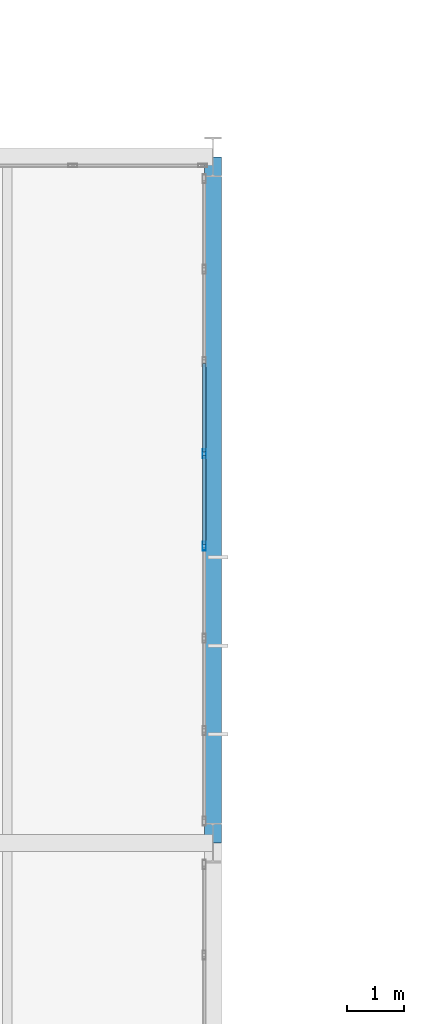
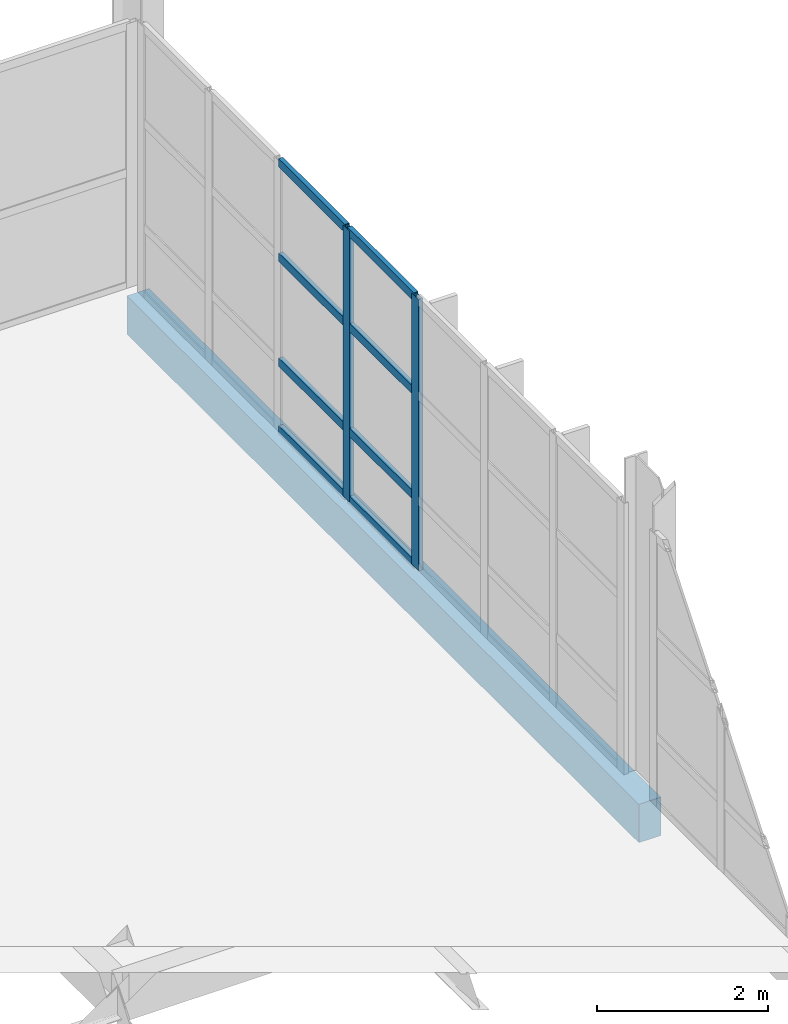
# One storey, part 85 of 113: 10 members, 1 beam, 1 element without a shape of its own.
"""IFC4 building model written with IfcOpenShell, lengths in metres."""

from ifc_helpers import new_model, si_unit, direction, frame, origin, origin_2d, place, context, subcontext, project, spatial, rectangle, hollow_rectangle, extrude, material, material_profile, profile_set, type_object, element, aggregate, save


model = new_model("IFC4")

# Units and contexts
model_context = context("Model", 3, precision=1e-05, world=origin(), true_north=direction((0.0, 1.0)))
body_context = subcontext(model_context, "Body", "Model", "MODEL_VIEW")
ifc_project = project(units=[si_unit("LENGTHUNIT", "METRE"), si_unit("AREAUNIT", "SQUARE_METRE"), si_unit("VOLUMEUNIT", "CUBIC_METRE"), si_unit("PLANEANGLEUNIT", "RADIAN"), si_unit("MASSUNIT", "GRAM", prefix="KILO")], contexts=[model_context])

# Site, building, storey
site_placement = place(None, origin())
site = spatial("IfcSite", under=ifc_project, at=site_placement, CompositionType="ELEMENT")
building_placement = place(site_placement, origin())
building = spatial("IfcBuilding", under=site, at=building_placement, Name="Veltarok Museum of Natural Sciences", CompositionType="ELEMENT")
storey_placement = place(building_placement, frame((0.0, 0.0, 8.39990234375)))
storey = spatial("IfcBuildingStorey", under=building, at=storey_placement, Name="L01", CompositionType="ELEMENT", Elevation=8.39990234375)

# Curtain wall, members
ifc_material_1 = material(Name="Low-iron triple insulated glass", Category="glass")
curtain_wall_type = type_object("IfcCurtainWallType", Name="Curtain Wall System CW-V5E-L01-G-1130x388 (V5 East Lab L01 G-H 1130x388cm)", PredefinedType="NOTDEFINED", material=ifc_material_1)
curtain_wall_placement = place(storey_placement, origin())
curtain_wall = element("IfcCurtainWall", 1, at=curtain_wall_placement, inside=storey, type_object=curtain_wall_type, Name="Curtain Wall CW-V5E-L01-G-1130x388 CW-0108", PredefinedType="NOTDEFINED")
ifc_material_2 = material(Name="Thermally broken anodised aluminium", Category="aluminium")
ifc_material_profile_1 = material_profile(ifc_material_2, hollow_rectangle(XDim=0.06005859375, YDim=0.1201171875, WallThickness=0.0048828125, at=origin_2d()), Name="CW TRANSOM 60x120x5")
ifc_profile_set_1 = profile_set([ifc_material_profile_1], Name="Thermally broken anodised aluminium")
member_type_1 = type_object("IfcMemberType", Name="Curtain Wall Horizontal Transom 60x120x5", PredefinedType="USERDEFINED", material=ifc_profile_set_1)
member_1_placement = place(storey_placement, frame((164.64990234375, 65.222900390625, 0.030029296875), z_axis=(0.0, 1.0, 0.0), x_axis=(-1.0, 0.0, 0.0)))
member_1 = element("IfcMember", 2, at=member_1_placement, type_object=member_type_1, Name="CW-V5E-L01-G-1130x388 transom 4.1", ObjectType="TRANSOM", PredefinedType="USERDEFINED", context=body_context, shape_type="SweptSolid", body=[
    extrude(hollow_rectangle(XDim=0.06005859375, YDim=0.1201171875, WallThickness=0.0048828125, at=origin_2d()), origin(), (0.0, 0.0, 1.0), 1.55419921875),
])
member_2_placement = place(storey_placement, frame((164.64990234375, 65.222900390625, 1.0), z_axis=(0.0, 1.0, 0.0), x_axis=(-1.0, 0.0, 0.0)))
member_2 = element("IfcMember", 3, at=member_2_placement, type_object=member_type_1, Name="CW-V5E-L01-G-1130x388 transom 4.2", ObjectType="TRANSOM", PredefinedType="USERDEFINED", context=body_context, shape_type="SweptSolid", body=[
    extrude(hollow_rectangle(XDim=0.06005859375, YDim=0.1201171875, WallThickness=0.0048828125, at=origin_2d()), origin(), (0.0, 0.0, 1.0), 1.55419921875),
])
member_3_placement = place(storey_placement, frame((164.64990234375, 65.222900390625, 2.5), z_axis=(0.0, 1.0, 0.0), x_axis=(-1.0, 0.0, 0.0)))
member_3 = element("IfcMember", 4, at=member_3_placement, type_object=member_type_1, Name="CW-V5E-L01-G-1130x388 transom 4.3", ObjectType="TRANSOM", PredefinedType="USERDEFINED", context=body_context, shape_type="SweptSolid", body=[
    extrude(hollow_rectangle(XDim=0.06005859375, YDim=0.1201171875, WallThickness=0.0048828125, at=origin_2d()), origin(), (0.0, 0.0, 1.0), 1.55419921875),
])
member_4_placement = place(storey_placement, frame((164.64990234375, 65.222900390625, 3.85009765625), z_axis=(0.0, 1.0, 0.0), x_axis=(-1.0, 0.0, 0.0)))
member_4 = element("IfcMember", 5, at=member_4_placement, type_object=member_type_1, Name="CW-V5E-L01-G-1130x388 transom 4.4", ObjectType="TRANSOM", PredefinedType="USERDEFINED", context=body_context, shape_type="SweptSolid", body=[
    extrude(hollow_rectangle(XDim=0.06005859375, YDim=0.1201171875, WallThickness=0.0048828125, at=origin_2d()), origin(), (0.0, 0.0, 1.0), 1.55419921875),
])
member_5_placement = place(storey_placement, frame((164.64990234375, 66.837158203125, 0.030029296875), z_axis=(0.0, 1.0, 0.0), x_axis=(-1.0, 0.0, 0.0)))
member_5 = element("IfcMember", 6, at=member_5_placement, type_object=member_type_1, Name="CW-V5E-L01-G-1130x388 transom 5.1", ObjectType="TRANSOM", PredefinedType="USERDEFINED", context=body_context, shape_type="SweptSolid", body=[
    extrude(hollow_rectangle(XDim=0.06005859375, YDim=0.1201171875, WallThickness=0.0048828125, at=origin_2d()), origin(), (0.0, 0.0, 1.0), 1.55419921875),
])
member_6_placement = place(storey_placement, frame((164.64990234375, 66.837158203125, 1.0), z_axis=(0.0, 1.0, 0.0), x_axis=(-1.0, 0.0, 0.0)))
member_6 = element("IfcMember", 7, at=member_6_placement, type_object=member_type_1, Name="CW-V5E-L01-G-1130x388 transom 5.2", ObjectType="TRANSOM", PredefinedType="USERDEFINED", context=body_context, shape_type="SweptSolid", body=[
    extrude(hollow_rectangle(XDim=0.06005859375, YDim=0.1201171875, WallThickness=0.0048828125, at=origin_2d()), origin(), (0.0, 0.0, 1.0), 1.55419921875),
])
member_7_placement = place(storey_placement, frame((164.64990234375, 66.837158203125, 2.5), z_axis=(0.0, 1.0, 0.0), x_axis=(-1.0, 0.0, 0.0)))
member_7 = element("IfcMember", 8, at=member_7_placement, type_object=member_type_1, Name="CW-V5E-L01-G-1130x388 transom 5.3", ObjectType="TRANSOM", PredefinedType="USERDEFINED", context=body_context, shape_type="SweptSolid", body=[
    extrude(hollow_rectangle(XDim=0.06005859375, YDim=0.1201171875, WallThickness=0.0048828125, at=origin_2d()), origin(), (0.0, 0.0, 1.0), 1.55419921875),
])
member_8_placement = place(storey_placement, frame((164.64990234375, 66.837158203125, 3.85009765625), z_axis=(0.0, 1.0, 0.0), x_axis=(-1.0, 0.0, 0.0)))
member_8 = element("IfcMember", 9, at=member_8_placement, type_object=member_type_1, Name="CW-V5E-L01-G-1130x388 transom 5.4", ObjectType="TRANSOM", PredefinedType="USERDEFINED", context=body_context, shape_type="SweptSolid", body=[
    extrude(hollow_rectangle(XDim=0.06005859375, YDim=0.1201171875, WallThickness=0.0048828125, at=origin_2d()), origin(), (0.0, 0.0, 1.0), 1.55419921875),
])
ifc_material_profile_2 = material_profile(ifc_material_2, hollow_rectangle(XDim=0.06005859375, YDim=0.159912109375, WallThickness=0.0048828125, at=origin_2d()), Name="CW MULLION 60x160x5")
ifc_profile_set_2 = profile_set([ifc_material_profile_2], Name="Thermally broken anodised aluminium")
member_type_2 = type_object("IfcMemberType", Name="Curtain Wall Vertical Mullion 60x160x5", PredefinedType="MULLION", material=ifc_profile_set_2)
member_9_placement = place(storey_placement, frame((164.64990234375, 65.19287109375, 0.0), z_axis=(0.0, 0.0, 1.0), x_axis=(-1.0, 0.0, 0.0)))
member_9 = element("IfcMember", 10, at=member_9_placement, type_object=member_type_2, Name="CW-V5E-L01-G-1130x388 mullion 4", PredefinedType="MULLION", context=body_context, shape_type="SweptSolid", body=[
    extrude(hollow_rectangle(XDim=0.06005859375, YDim=0.159912109375, WallThickness=0.0048828125, at=origin_2d()), origin(), (0.0, 0.0, 1.0), 3.880126953125),
])
member_10_placement = place(storey_placement, frame((164.64990234375, 66.80712890625, 0.0), z_axis=(0.0, 0.0, 1.0), x_axis=(-1.0, 0.0, 0.0)))
member_10 = element("IfcMember", 11, at=member_10_placement, type_object=member_type_2, Name="CW-V5E-L01-G-1130x388 mullion 5", PredefinedType="MULLION", context=body_context, shape_type="SweptSolid", body=[
    extrude(hollow_rectangle(XDim=0.06005859375, YDim=0.159912109375, WallThickness=0.0048828125, at=origin_2d()), origin(), (0.0, 0.0, 1.0), 3.880126953125),
])
aggregate(curtain_wall, [member_9, member_10, member_1, member_2, member_3, member_4, member_5, member_6, member_7, member_8])

# Beam
ifc_material_3 = material(Name="Precast concrete C40/50", Category="concrete")
ifc_material_profile_3 = material_profile(ifc_material_3, rectangle(XDim=0.300048828125, YDim=0.550048828125, at=origin_2d()), Name="RC 300x550")
ifc_profile_set_3 = profile_set([ifc_material_profile_3], Name="Precast concrete C40/50")
beam_type = type_object("IfcBeamType", Name="East Wing Precast Spandrel RC 300x550", PredefinedType="SPANDREL", material=ifc_profile_set_3)
beam_placement = place(storey_placement, frame((164.800048828125, 60.0, -0.52490234375), z_axis=(0.0, 1.0, 0.0), x_axis=(-1.0, 0.0, 0.0)))
element("IfcBeam", 12, at=beam_placement, inside=storey, type_object=beam_type, Name="Beam BM-SP02 L01 20/G-H", PredefinedType="SPANDREL", context=body_context, shape_type="SweptSolid", body=[
    extrude(rectangle(XDim=0.300048828125, YDim=0.550048828125, at=origin_2d()), origin(), (0.0, 0.0, 1.0), 12.0),
])

save(model, "model.ifc")
